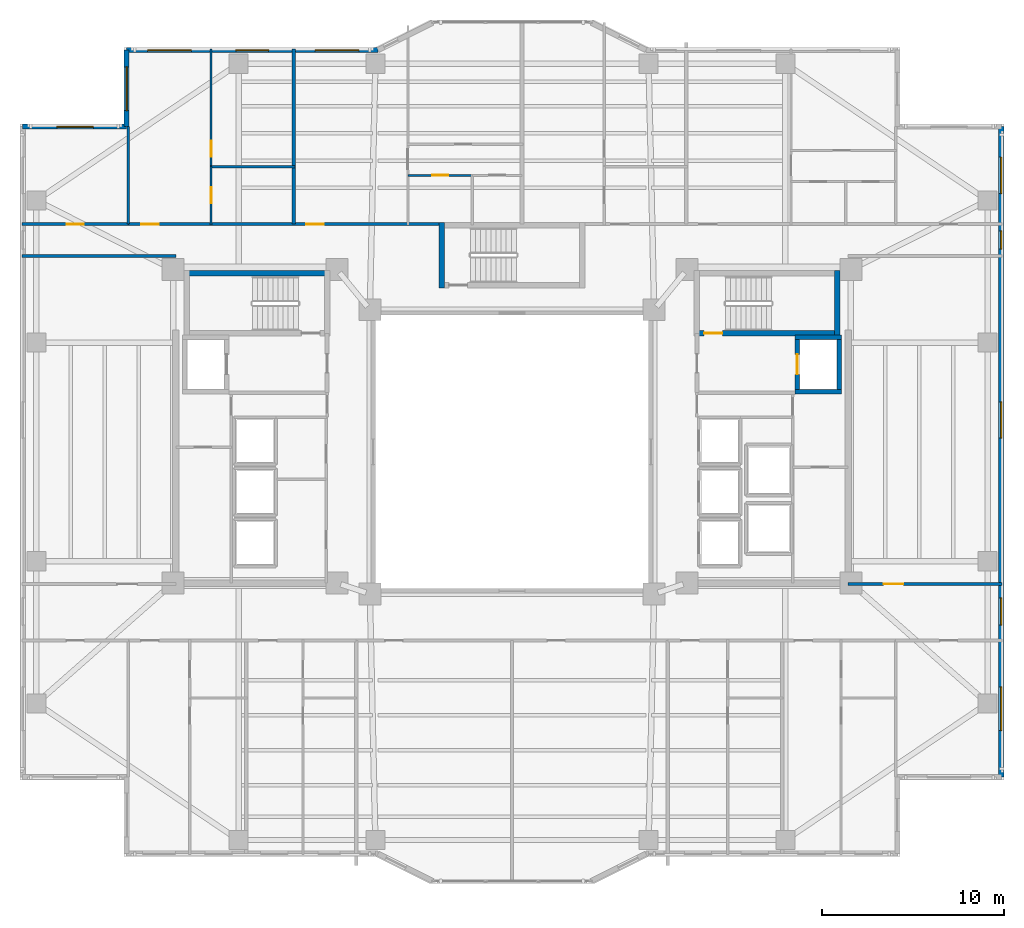
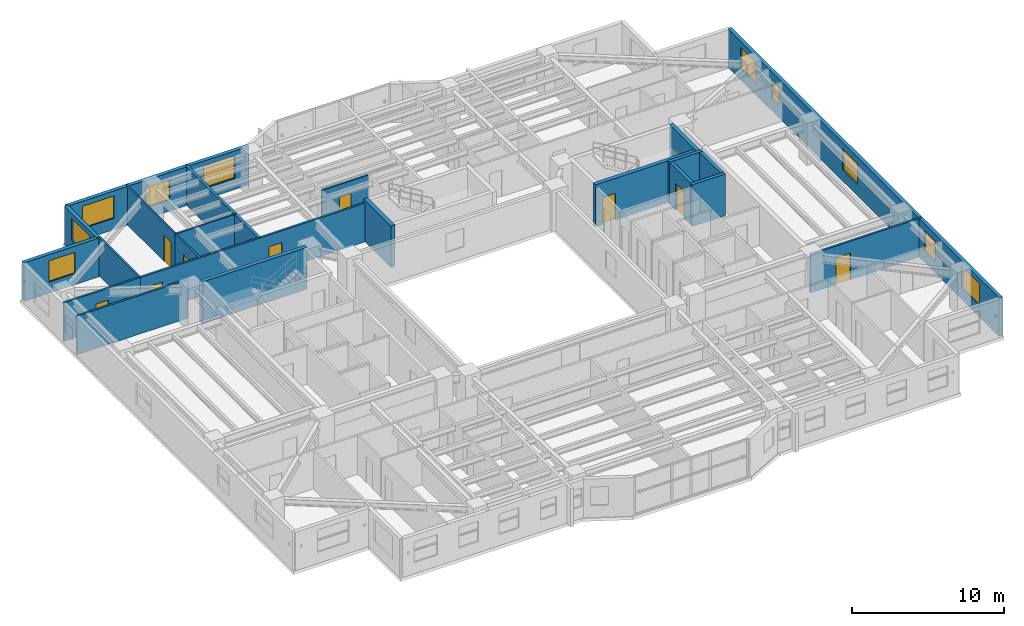
# One storey, part 9 of 18: 22 walls, 10 windows, 9 doors, 19 openings.
"""IFC4 building model written with IfcOpenShell, lengths in metres."""

from ifc_helpers import new_model, si_unit, direction, frame, frame_2d, origin, place, context, subcontext, project, spatial, rectangle, extrude, material, layer, layer_set, type_object, element, fill, save


model = new_model("IFC4")

# Units and contexts
model_context = context("Model", 3, precision=1e-05, world=origin(), true_north=direction((0.0, 1.0)))
body_context = subcontext(model_context, "Body", "Model", "MODEL_VIEW")
ifc_project = project(units=[si_unit("LENGTHUNIT", "METRE"), si_unit("AREAUNIT", "SQUARE_METRE"), si_unit("VOLUMEUNIT", "CUBIC_METRE"), si_unit("PLANEANGLEUNIT", "RADIAN"), si_unit("MASSUNIT", "GRAM", prefix="KILO")], contexts=[model_context])

# Site, building, storey
site_placement = place(None, origin())
site = spatial("IfcSite", under=ifc_project, at=site_placement, CompositionType="ELEMENT")
building_placement = place(site_placement, origin())
building = spatial("IfcBuilding", under=site, at=building_placement, Name="Tarnavaz Court Tower", CompositionType="ELEMENT")
storey_placement = place(building_placement, frame((0.0, 0.0, 98.39990234375)))
storey = spatial("IfcBuildingStorey", under=building, at=storey_placement, Name="L26", CompositionType="ELEMENT", Elevation=98.39990234375)

# Wall, opening, door
ifc_material_1 = material(Name="Concrete C60/75", Category="concrete")
ifc_layer_1 = layer(ifc_material_1, 0.25)
ifc_layer_set_1 = layer_set([ifc_layer_1], Name="Concrete C60/75")
wall_type_1 = type_object("IfcWallType", Name="WL-CORE-250-C60", PredefinedType="SHEAR", material=ifc_layer_set_1)
wall_1_placement = place(storey_placement, frame((15.64990234375, 3.175048828125, 0.0), z_axis=(0.0, 0.0, 1.0), x_axis=(0.0, 1.0, 0.0)))
wall_1 = element("IfcWall", 1, at=wall_1_placement, inside=storey, type_object=wall_type_1, Name="L26 Lift FL-E1 Shaft Wall 033", PredefinedType="SHEAR", context=body_context, shape_type="SweptSolid", body=[
    extrude(rectangle(XDim=3.25, YDim=0.25, at=frame_2d((1.625, 0.0))), origin(), (0.0, 0.0, 1.0), 3.35009765625),
])
opening_1_placement = place(wall_1_placement, frame((1.074951171875, 0.0, 0.0)))
opening_1 = element("IfcOpeningElement", 2, at=opening_1_placement, cuts=wall_1, Name="Opening LD1", PredefinedType="OPENING", context=body_context, shape_type="SweptSolid", body=[
    extrude(rectangle(XDim=1.10009765625, YDim=2.14990234375, at=frame_2d((0.550048828125, 1.074951171875))), frame((0.0, 0.135009765625, 0.0), z_axis=(0.0, -1.0, 0.0), x_axis=(1.0, 0.0, 0.0)), (0.0, 0.0, 1.0), 0.27001953125),
])
ifc_material_2 = material(Name="Stainless Steel", Category="steel")
door_type_1 = type_object("IfcDoorType", Name="DR-LD-1100", OperationType="NOTDEFINED", PredefinedType="DOOR", material=ifc_material_2)
door_1_placement = place(opening_1_placement, origin())
door_1 = element("IfcDoor", 3, at=door_1_placement, inside=storey, type_object=door_type_1, Name="L26 Lift Landing Door LD-FL-E1", OperationType="SLIDING_TO_LEFT", OverallHeight=2.14990234375, OverallWidth=1.10009765625, PredefinedType="DOOR", context=body_context, shape_type="SweptSolid", body=[
    extrude(rectangle(XDim=1.10009765625, YDim=2.14990234375, at=frame_2d((0.550048828125, 1.074951171875))), frame((0.0, 0.02490234375, 0.0), z_axis=(0.0, -1.0, 0.0), x_axis=(1.0, 0.0, 0.0)), (0.0, 0.0, 1.0), 0.050048828125),
])
fill(opening_1, door_1)

# Walls
wall_2_placement = place(storey_placement, frame((17.949951171875, 3.175048828125, 0.0), z_axis=(0.0, 0.0, 1.0), x_axis=(0.0, 1.0, 0.0)))
element("IfcWall", 4, at=wall_2_placement, inside=storey, type_object=wall_type_1, Name="L26 Lift FL-E1 Shaft Wall 034", PredefinedType="SHEAR", context=body_context, shape_type="SweptSolid", body=[
    extrude(rectangle(XDim=3.25, YDim=0.25, at=frame_2d((1.625, 0.0))), origin(), (0.0, 0.0, 1.0), 3.35009765625),
])
for number, where, z_axis, x_axis, name in (
    (5, (15.52490234375, 3.300048828125, 0.0), (0.0, 0.0, 1.0), (1.0, 0.0, 0.0), "L26 Lift FL-E1 Shaft Wall 035"),
    (6, (15.52490234375, 6.300048828125, 0.0), (0.0, 0.0, 1.0), (1.0, 0.0, 0.0), "L26 Lift FL-E1 Shaft Wall 036"),
):
    element("IfcWall", number, at=place(storey_placement, frame(where, z_axis=z_axis, x_axis=x_axis)), inside=storey, type_object=wall_type_1, Name=name, PredefinedType="SHEAR", context=body_context, shape_type="SweptSolid", body=[
        extrude(rectangle(XDim=2.550048828125, YDim=0.25, at=frame_2d((1.27490234375, 0.0))), origin(), (0.0, 0.0, 1.0), 3.35009765625),
    ])
ifc_layer_2 = layer(ifc_material_1, 0.300048828125)
ifc_layer_set_2 = layer_set([ifc_layer_2], Name="Concrete C60/75")
wall_type_2 = type_object("IfcWallType", Name="WL-CORE-300-C60", PredefinedType="SHEAR", material=ifc_layer_set_2)
wall_3_placement = place(storey_placement, frame((-18.0, 9.7900390625, 0.0), z_axis=(0.0, 0.0, 1.0), x_axis=(1.0, 0.0, 0.0)))
element("IfcWall", 7, at=wall_3_placement, inside=storey, type_object=wall_type_2, Name="L26 West Stair Core Wall 001", PredefinedType="SHEAR", context=body_context, shape_type="SweptSolid", body=[
    extrude(rectangle(XDim=8.0, YDim=0.300048828125, at=frame_2d((4.0, 0.0))), origin(), (0.0, 0.0, 1.0), 3.35009765625),
])

# Wall, opening, door
wall_4_placement = place(storey_placement, frame((10.0, 6.5, 0.0), z_axis=(0.0, 0.0, 1.0), x_axis=(1.0, 0.0, 0.0)))
wall_4 = element("IfcWall", 8, at=wall_4_placement, inside=storey, type_object=wall_type_2, Name="L26 East Stair Core Wall 006", PredefinedType="SHEAR", context=body_context, shape_type="SweptSolid", body=[
    extrude(rectangle(XDim=8.0, YDim=0.300048828125, at=frame_2d((4.0, 0.0))), origin(), (0.0, 0.0, 1.0), 3.35009765625),
])
opening_2_placement = place(wall_4_placement, frame((0.550048828125, 0.0, 0.0)))
opening_2 = element("IfcOpeningElement", 9, at=opening_2_placement, cuts=wall_4, Name="Opening D01", PredefinedType="OPENING", context=body_context, shape_type="SweptSolid", body=[
    extrude(rectangle(XDim=1.0, YDim=2.14990234375, at=frame_2d((0.5, 1.074951171875))), frame((0.0, 0.159912109375, 0.0), z_axis=(0.0, -1.0, 0.0), x_axis=(1.0, 0.0, 0.0)), (0.0, 0.0, 1.0), 0.320068359375),
])
ifc_material_3 = material(Name="Fire-Rated Hardwood Timber Core", Category="wood")
door_type_2 = type_object("IfcDoorType", Name="DR-FD90-1000", OperationType="NOTDEFINED", PredefinedType="DOOR", material=ifc_material_3)
door_2_placement = place(opening_2_placement, origin())
door_2 = element("IfcDoor", 10, at=door_2_placement, inside=storey, type_object=door_type_2, Name="L26 Stair ST-E1 Exit Door", OperationType="SINGLE_SWING_RIGHT", OverallHeight=2.14990234375, OverallWidth=1.0, PredefinedType="DOOR", context=body_context, shape_type="SweptSolid", body=[
    extrude(rectangle(XDim=1.0, YDim=2.14990234375, at=frame_2d((0.5, 1.074951171875))), frame((0.0, 0.02490234375, 0.0), z_axis=(0.0, -1.0, 0.0), x_axis=(1.0, 0.0, 0.0)), (0.0, 0.0, 1.0), 0.050048828125),
])
fill(opening_2, door_2)

# Walls
wall_5_placement = place(storey_placement, frame((17.85009765625, 6.35009765625, 0.0), z_axis=(0.0, 0.0, 1.0), x_axis=(0.0, 1.0, 0.0)))
element("IfcWall", 11, at=wall_5_placement, inside=storey, type_object=wall_type_2, Name="L26 East Stair Core Wall 008", PredefinedType="SHEAR", context=body_context, shape_type="SweptSolid", body=[
    extrude(rectangle(XDim=3.58984375, YDim=0.300048828125, at=frame_2d((1.794921875, 0.0))), origin(), (0.0, 0.0, 1.0), 3.35009765625),
])
wall_6_placement = place(storey_placement, frame((-3.85009765625, 9.0, 0.0), z_axis=(0.0, 0.0, 1.0), x_axis=(0.0, 1.0, 0.0)))
element("IfcWall", 12, at=wall_6_placement, inside=storey, type_object=wall_type_2, Name="L26 North Stair Core Wall 011", PredefinedType="SHEAR", context=body_context, shape_type="SweptSolid", body=[
    extrude(rectangle(XDim=3.590087890625, YDim=0.300048828125, at=frame_2d((1.794921875, 0.0))), origin(), (0.0, 0.0, 1.0), 3.35009765625),
])

# Wall, opening, window
ifc_material_4 = material(Name="Precast Concrete C40/50", Category="concrete")
ifc_layer_3 = layer(ifc_material_4, 0.280029296875)
ifc_layer_set_3 = layer_set([ifc_layer_3], Name="Precast Concrete C40/50")
wall_type_3 = type_object("IfcWallType", Name="WL-EXT-280", PredefinedType="SOLIDWALL", material=ifc_layer_set_3)
wall_7_placement = place(storey_placement, frame((-26.85009765625, 17.85009765625, 0.0), z_axis=(0.0, 0.0, 1.0), x_axis=(1.0, 0.0, 0.0)))
wall_7 = element("IfcWall", 13, at=wall_7_placement, inside=storey, type_object=wall_type_3, Name="L26 Exterior Terracotta Facade Wall 03", PredefinedType="SOLIDWALL", context=body_context, shape_type="SweptSolid", body=[
    extrude(rectangle(XDim=5.7001953125, YDim=0.280029296875, at=frame_2d((2.85009765625, 0.0))), origin(), (0.0, 0.0, 1.0), 3.10009765625),
])
opening_3_placement = place(wall_7_placement, frame((1.875, 0.0, 0.89990234375)))
opening_3 = element("IfcOpeningElement", 14, at=opening_3_placement, cuts=wall_7, Name="Opening W08", PredefinedType="OPENING", context=body_context, shape_type="SweptSolid", body=[
    extrude(rectangle(XDim=2.0, YDim=1.699951171875, at=frame_2d((1.0, 0.85009765625))), frame((0.0, 0.14990234375, 0.0), z_axis=(0.0, -1.0, 0.0), x_axis=(1.0, 0.0, 0.0)), (0.0, 0.0, 1.0), 0.300048828125),
])
ifc_material_5 = material(Name="Double-Glazed Solar Low-E Glass", Category="glass")
window_type_1 = type_object("IfcWindowType", Name="WN-APT-2000", PartitioningType="DOUBLE_PANEL_VERTICAL", PredefinedType="WINDOW", material=ifc_material_5)
window_1_placement = place(opening_3_placement, origin())
window_1 = element("IfcWindow", 15, at=window_1_placement, inside=storey, type_object=window_type_1, Name="L26 North-West Corner Sunroom Study Window", OverallHeight=1.699951171875, OverallWidth=2.0, PartitioningType="SINGLE_PANEL", PredefinedType="WINDOW", context=body_context, shape_type="SweptSolid", body=[
    extrude(rectangle(XDim=2.0, YDim=1.699951171875, at=frame_2d((1.0, 0.85009765625))), frame((0.0, 0.030029296875, 0.0), z_axis=(0.0, -1.0, 0.0), x_axis=(1.0, 0.0, 0.0)), (0.0, 0.0, 1.0), 0.06005859375),
])
fill(opening_3, window_1)

wall_8_placement = place(storey_placement, frame((-21.14990234375, 17.85009765625, 0.0), z_axis=(0.0, 0.0, 1.0), x_axis=(0.0, 1.0, 0.0)))
wall_8 = element("IfcWall", 16, at=wall_8_placement, inside=storey, type_object=wall_type_3, Name="L26 Exterior Terracotta Facade Wall 04", PredefinedType="SOLIDWALL", context=body_context, shape_type="SweptSolid", body=[
    extrude(rectangle(XDim=4.199951171875, YDim=0.280029296875, at=frame_2d((2.10009765625, 0.0))), origin(), (0.0, 0.0, 1.0), 3.10009765625),
])
opening_4_placement = place(wall_8_placement, frame((0.882080078125, 0.0, 0.89990234375)))
opening_4 = element("IfcOpeningElement", 17, at=opening_4_placement, cuts=wall_8, Name="Opening W06", PredefinedType="OPENING", context=body_context, shape_type="SweptSolid", body=[
    extrude(rectangle(XDim=2.39990234375, YDim=1.800048828125, at=frame_2d((1.199951171875, 0.89990234375))), frame((0.0, 0.14990234375, 0.0), z_axis=(0.0, -1.0, 0.0), x_axis=(1.0, 0.0, 0.0)), (0.0, 0.0, 1.0), 0.300048828125),
])
window_type_2 = type_object("IfcWindowType", Name="WN-APT-2400", PartitioningType="TRIPLE_PANEL_VERTICAL", PredefinedType="WINDOW", material=ifc_material_5)
window_2_placement = place(opening_4_placement, origin())
window_2 = element("IfcWindow", 18, at=window_2_placement, inside=storey, type_object=window_type_2, Name="L26 Flat 01 Studio Living and Sleeping Room Window", OverallHeight=1.800048828125, OverallWidth=2.39990234375, PartitioningType="SINGLE_PANEL", PredefinedType="WINDOW", context=body_context, shape_type="SweptSolid", body=[
    extrude(rectangle(XDim=2.39990234375, YDim=1.800048828125, at=frame_2d((1.199951171875, 0.89990234375))), frame((0.0, 0.030029296875, 0.0), z_axis=(0.0, -1.0, 0.0), x_axis=(1.0, 0.0, 0.0)), (0.0, 0.0, 1.0), 0.06005859375),
])
fill(opening_4, window_2)

# Wall, openings, windows
wall_9_placement = place(storey_placement, frame((-21.14990234375, 22.050048828125, 0.0), z_axis=(0.0, 0.0, 1.0), x_axis=(1.0, 0.0, 0.0)))
wall_9 = element("IfcWall", 19, at=wall_9_placement, inside=storey, type_object=wall_type_3, Name="L26 Exterior Terracotta Facade Wall 05", PredefinedType="SOLIDWALL", context=body_context, shape_type="SweptSolid", body=[
    extrude(rectangle(XDim=13.7998046875, YDim=0.280029296875, at=frame_2d((6.89990234375, 0.0))), origin(), (0.0, 0.0, 1.0), 3.10009765625),
])
opening_5_placement = place(wall_9_placement, frame((1.158447265625, 0.0, 0.89990234375)))
opening_5 = element("IfcOpeningElement", 20, at=opening_5_placement, cuts=wall_9, Name="Opening W06", PredefinedType="OPENING", context=body_context, shape_type="SweptSolid", body=[
    extrude(rectangle(XDim=2.39990234375, YDim=1.800048828125, at=frame_2d((1.199951171875, 0.89990234375))), frame((0.0, 0.14990234375, 0.0), z_axis=(0.0, -1.0, 0.0), x_axis=(1.0, 0.0, 0.0)), (0.0, 0.0, 1.0), 0.300048828125),
])
opening_6_placement = place(wall_9_placement, frame((6.0, 0.0, 0.89990234375)))
opening_6 = element("IfcOpeningElement", 21, at=opening_6_placement, cuts=wall_9, Name="Opening W01", PredefinedType="OPENING", context=body_context, shape_type="SweptSolid", body=[
    extrude(rectangle(XDim=1.800048828125, YDim=1.64990234375, at=frame_2d((0.89990234375, 0.824951171875))), frame((0.0, 0.14990234375, 0.0), z_axis=(0.0, -1.0, 0.0), x_axis=(1.0, 0.0, 0.0)), (0.0, 0.0, 1.0), 0.300048828125),
])
opening_7_placement = place(wall_9_placement, frame((10.341796875, 0.0, 0.89990234375)))
opening_7 = element("IfcOpeningElement", 22, at=opening_7_placement, cuts=wall_9, Name="Opening W06", PredefinedType="OPENING", context=body_context, shape_type="SweptSolid", body=[
    extrude(rectangle(XDim=2.39990234375, YDim=1.800048828125, at=frame_2d((1.199951171875, 0.89990234375))), frame((0.0, 0.14990234375, 0.0), z_axis=(0.0, -1.0, 0.0), x_axis=(1.0, 0.0, 0.0)), (0.0, 0.0, 1.0), 0.300048828125),
])
window_type_3 = type_object("IfcWindowType", Name="WN-APT-1800", PartitioningType="DOUBLE_PANEL_VERTICAL", PredefinedType="WINDOW", material=ifc_material_5)
window_3_placement = place(opening_6_placement, origin())
window_3 = element("IfcWindow", 23, at=window_3_placement, inside=storey, type_object=window_type_3, Name="L26 Flat 01 Kitchen Window", OverallHeight=1.64990234375, OverallWidth=1.800048828125, PartitioningType="SINGLE_PANEL", PredefinedType="WINDOW", context=body_context, shape_type="SweptSolid", body=[
    extrude(rectangle(XDim=1.800048828125, YDim=1.64990234375, at=frame_2d((0.89990234375, 0.824951171875))), frame((0.0, 0.030029296875, 0.0), z_axis=(0.0, -1.0, 0.0), x_axis=(1.0, 0.0, 0.0)), (0.0, 0.0, 1.0), 0.06005859375),
])
fill(opening_6, window_3)
window_4_placement = place(opening_5_placement, origin())
window_4 = element("IfcWindow", 24, at=window_4_placement, inside=storey, type_object=window_type_2, Name="L26 Flat 01 Studio Living and Sleeping Room Window", OverallHeight=1.800048828125, OverallWidth=2.39990234375, PartitioningType="SINGLE_PANEL", PredefinedType="WINDOW", context=body_context, shape_type="SweptSolid", body=[
    extrude(rectangle(XDim=2.39990234375, YDim=1.800048828125, at=frame_2d((1.199951171875, 0.89990234375))), frame((0.0, 0.030029296875, 0.0), z_axis=(0.0, -1.0, 0.0), x_axis=(1.0, 0.0, 0.0)), (0.0, 0.0, 1.0), 0.06005859375),
])
fill(opening_5, window_4)
window_5_placement = place(opening_7_placement, origin())
window_5 = element("IfcWindow", 25, at=window_5_placement, inside=storey, type_object=window_type_2, Name="L26 Flat 02 Living and Dining Room Window", OverallHeight=1.800048828125, OverallWidth=2.39990234375, PartitioningType="SINGLE_PANEL", PredefinedType="WINDOW", context=body_context, shape_type="SweptSolid", body=[
    extrude(rectangle(XDim=2.39990234375, YDim=1.800048828125, at=frame_2d((1.199951171875, 0.89990234375))), frame((0.0, 0.030029296875, 0.0), z_axis=(0.0, -1.0, 0.0), x_axis=(1.0, 0.0, 0.0)), (0.0, 0.0, 1.0), 0.06005859375),
])
fill(opening_7, window_5)

wall_10_placement = place(storey_placement, frame((26.85009765625, 17.85009765625, 0.0), z_axis=(0.0, 0.0, 1.0), x_axis=(0.0, -1.0, 0.0)))
wall_10 = element("IfcWall", 26, at=wall_10_placement, inside=storey, type_object=wall_type_3, Name="L26 Exterior Terracotta Facade Wall 12", PredefinedType="SOLIDWALL", context=body_context, shape_type="SweptSolid", body=[
    extrude(rectangle(XDim=35.7001953125, YDim=0.280029296875, at=frame_2d((17.85009765625, 0.0))), origin(), (0.0, 0.0, 1.0), 3.10009765625),
])
opening_8_placement = place(wall_10_placement, frame((1.675048828125, 0.0, 0.89990234375)))
opening_8 = element("IfcOpeningElement", 27, at=opening_8_placement, cuts=wall_10, Name="Opening W08", PredefinedType="OPENING", context=body_context, shape_type="SweptSolid", body=[
    extrude(rectangle(XDim=2.0, YDim=1.699951171875, at=frame_2d((1.0, 0.85009765625))), frame((0.0, 0.14990234375, 0.0), z_axis=(0.0, -1.0, 0.0), x_axis=(1.0, 0.0, 0.0)), (0.0, 0.0, 1.0), 0.300048828125),
])
opening_9_placement = place(wall_10_placement, frame((5.72509765625, 0.0, 0.949951171875)))
opening_9 = element("IfcOpeningElement", 28, at=opening_9_placement, cuts=wall_10, Name="Opening W14", PredefinedType="OPENING", context=body_context, shape_type="SweptSolid", body=[
    extrude(rectangle(XDim=1.0, YDim=1.5, at=frame_2d((0.5, 0.75))), frame((0.0, 0.14990234375, 0.0), z_axis=(0.0, -1.0, 0.0), x_axis=(1.0, 0.0, 0.0)), (0.0, 0.0, 1.0), 0.300048828125),
])
opening_10_placement = place(wall_10_placement, frame((15.10009765625, 0.0, 0.89990234375)))
opening_10 = element("IfcOpeningElement", 29, at=opening_10_placement, cuts=wall_10, Name="Opening W08", PredefinedType="OPENING", context=body_context, shape_type="SweptSolid", body=[
    extrude(rectangle(XDim=2.0, YDim=1.699951171875, at=frame_2d((1.0, 0.85009765625))), frame((0.0, 0.14990234375, 0.0), z_axis=(0.0, -1.0, 0.0), x_axis=(1.0, 0.0, 0.0)), (0.0, 0.0, 1.0), 0.300048828125),
])
opening_11_placement = place(wall_10_placement, frame((25.857421875, 0.0, 0.89990234375)))
opening_11 = element("IfcOpeningElement", 30, at=opening_11_placement, cuts=wall_10, Name="Opening W03", PredefinedType="OPENING", context=body_context, shape_type="SweptSolid", body=[
    extrude(rectangle(XDim=1.5, YDim=1.64990234375, at=frame_2d((0.75, 0.824951171875))), frame((0.0, 0.14990234375, 0.0), z_axis=(0.0, -1.0, 0.0), x_axis=(1.0, 0.0, 0.0)), (0.0, 0.0, 1.0), 0.300048828125),
])
opening_12_placement = place(wall_10_placement, frame((30.75, 0.0, 0.89990234375)))
opening_12 = element("IfcOpeningElement", 31, at=opening_12_placement, cuts=wall_10, Name="Opening W06", PredefinedType="OPENING", context=body_context, shape_type="SweptSolid", body=[
    extrude(rectangle(XDim=2.39990234375, YDim=1.800048828125, at=frame_2d((1.199951171875, 0.89990234375))), frame((0.0, 0.14990234375, 0.0), z_axis=(0.0, -1.0, 0.0), x_axis=(1.0, 0.0, 0.0)), (0.0, 0.0, 1.0), 0.300048828125),
])
window_type_4 = type_object("IfcWindowType", Name="WN-APT-1000", PartitioningType="SINGLE_PANEL", PredefinedType="WINDOW", material=ifc_material_5)
window_6_placement = place(opening_9_placement, origin())
window_6 = element("IfcWindow", 32, at=window_6_placement, inside=storey, type_object=window_type_4, Name="L26 North-East Corner Corridor Window", OverallHeight=1.5, OverallWidth=1.0, PartitioningType="SINGLE_PANEL", PredefinedType="WINDOW", context=body_context, shape_type="SweptSolid", body=[
    extrude(rectangle(XDim=1.0, YDim=1.5, at=frame_2d((0.5, 0.75))), frame((0.0, 0.030029296875, 0.0), z_axis=(0.0, -1.0, 0.0), x_axis=(1.0, 0.0, 0.0)), (0.0, 0.0, 1.0), 0.06005859375),
])
fill(opening_9, window_6)
window_type_5 = type_object("IfcWindowType", Name="WN-APT-1500", PartitioningType="DOUBLE_PANEL_VERTICAL", PredefinedType="WINDOW", material=ifc_material_5)
window_7_placement = place(opening_11_placement, origin())
window_7 = element("IfcWindow", 33, at=window_7_placement, inside=storey, type_object=window_type_5, Name="L26 South-East Corner Corridor Window", OverallHeight=1.64990234375, OverallWidth=1.5, PartitioningType="SINGLE_PANEL", PredefinedType="WINDOW", context=body_context, shape_type="SweptSolid", body=[
    extrude(rectangle(XDim=1.5, YDim=1.64990234375, at=frame_2d((0.75, 0.824951171875))), frame((0.0, 0.030029296875, 0.0), z_axis=(0.0, -1.0, 0.0), x_axis=(1.0, 0.0, 0.0)), (0.0, 0.0, 1.0), 0.06005859375),
])
fill(opening_11, window_7)
window_8_placement = place(opening_8_placement, origin())
window_8 = element("IfcWindow", 34, at=window_8_placement, inside=storey, type_object=window_type_1, Name="L26 North-East Corner Sunroom Study Window", OverallHeight=1.699951171875, OverallWidth=2.0, PartitioningType="SINGLE_PANEL", PredefinedType="WINDOW", context=body_context, shape_type="SweptSolid", body=[
    extrude(rectangle(XDim=2.0, YDim=1.699951171875, at=frame_2d((1.0, 0.85009765625))), frame((0.0, 0.030029296875, 0.0), z_axis=(0.0, -1.0, 0.0), x_axis=(1.0, 0.0, 0.0)), (0.0, 0.0, 1.0), 0.06005859375),
])
fill(opening_8, window_8)
window_9_placement = place(opening_10_placement, origin())
window_9 = element("IfcWindow", 35, at=window_9_placement, inside=storey, type_object=window_type_1, Name="L26 East Wing Daycare Playroom Window", OverallHeight=1.699951171875, OverallWidth=2.0, PartitioningType="SINGLE_PANEL", PredefinedType="WINDOW", context=body_context, shape_type="SweptSolid", body=[
    extrude(rectangle(XDim=2.0, YDim=1.699951171875, at=frame_2d((1.0, 0.85009765625))), frame((0.0, 0.030029296875, 0.0), z_axis=(0.0, -1.0, 0.0), x_axis=(1.0, 0.0, 0.0)), (0.0, 0.0, 1.0), 0.06005859375),
])
fill(opening_10, window_9)
window_10_placement = place(opening_12_placement, origin())
window_10 = element("IfcWindow", 36, at=window_10_placement, inside=storey, type_object=window_type_2, Name="L26 South-East Corner Reading Room Window", OverallHeight=1.800048828125, OverallWidth=2.39990234375, PartitioningType="SINGLE_PANEL", PredefinedType="WINDOW", context=body_context, shape_type="SweptSolid", body=[
    extrude(rectangle(XDim=2.39990234375, YDim=1.800048828125, at=frame_2d((1.199951171875, 0.89990234375))), frame((0.0, 0.030029296875, 0.0), z_axis=(0.0, -1.0, 0.0), x_axis=(1.0, 0.0, 0.0)), (0.0, 0.0, 1.0), 0.06005859375),
])
fill(opening_12, window_10)

# Wall, openings, doors
ifc_material_6 = material(Name="Gypsum Fire-Board on Acoustic Metal Stud", Category="masonry")
ifc_layer_4 = layer(ifc_material_6, 0.14990234375)
ifc_layer_set_4 = layer_set([ifc_layer_4], Name="Gypsum Fire-Board on Acoustic Metal Stud")
wall_type_4 = type_object("IfcWallType", Name="WL-FIRE-150", PredefinedType="PARTITIONING", material=ifc_layer_set_4)
wall_11_placement = place(storey_placement, frame((-21.050048828125, 12.5, 0.0), z_axis=(0.0, 0.0, 1.0), x_axis=(1.0, 0.0, 0.0)))
wall_11 = element("IfcWall", 37, at=wall_11_placement, inside=storey, type_object=wall_type_4, Name="L26 NW Wing Corridor Wall 071", PredefinedType="PARTITIONING", context=body_context, shape_type="SweptSolid", body=[
    extrude(rectangle(XDim=17.199951171875, YDim=0.14990234375, at=frame_2d((8.60009765625, 0.0))), origin(), (0.0, 0.0, 1.0), 3.10009765625),
])
opening_13_placement = place(wall_11_placement, frame((0.699951171875, 0.0, 0.0)))
opening_13 = element("IfcOpeningElement", 38, at=opening_13_placement, cuts=wall_11, Name="Opening D06", PredefinedType="OPENING", context=body_context, shape_type="SweptSolid", body=[
    extrude(rectangle(XDim=0.9599609375, YDim=2.14990234375, at=frame_2d((0.47998046875, 1.074951171875))), frame((0.0, 0.0849609375, 0.0), z_axis=(0.0, -1.0, 0.0), x_axis=(1.0, 0.0, 0.0)), (0.0, 0.0, 1.0), 0.169921875),
])
opening_14_placement = place(wall_11_placement, frame((9.77197265625, 0.0, 0.0)))
opening_14 = element("IfcOpeningElement", 39, at=opening_14_placement, cuts=wall_11, Name="Opening D06", PredefinedType="OPENING", context=body_context, shape_type="SweptSolid", body=[
    extrude(rectangle(XDim=0.9599609375, YDim=2.14990234375, at=frame_2d((0.47998046875, 1.074951171875))), frame((0.0, 0.0849609375, 0.0), z_axis=(0.0, -1.0, 0.0), x_axis=(1.0, 0.0, 0.0)), (0.0, 0.0, 1.0), 0.169921875),
])
door_type_3 = type_object("IfcDoorType", Name="DR-FD60-950", OperationType="NOTDEFINED", PredefinedType="DOOR", material=ifc_material_3)
door_3_placement = place(opening_13_placement, origin())
door_3 = element("IfcDoor", 40, at=door_3_placement, inside=storey, type_object=door_type_3, Name="L26 Flat 01 Entrance Door", OperationType="SINGLE_SWING_LEFT", OverallHeight=2.14990234375, OverallWidth=0.9599609375, PredefinedType="DOOR", context=body_context, shape_type="SweptSolid", body=[
    extrude(rectangle(XDim=0.9599609375, YDim=2.14990234375, at=frame_2d((0.47998046875, 1.074951171875))), frame((0.0, 0.02490234375, 0.0), z_axis=(0.0, -1.0, 0.0), x_axis=(1.0, 0.0, 0.0)), (0.0, 0.0, 1.0), 0.050048828125),
])
fill(opening_13, door_3)
door_4_placement = place(opening_14_placement, origin())
door_4 = element("IfcDoor", 41, at=door_4_placement, inside=storey, type_object=door_type_3, Name="L26 Flat 02 Entrance Door", OperationType="SINGLE_SWING_RIGHT", OverallHeight=2.14990234375, OverallWidth=0.9599609375, PredefinedType="DOOR", context=body_context, shape_type="SweptSolid", body=[
    extrude(rectangle(XDim=0.9599609375, YDim=2.14990234375, at=frame_2d((0.47998046875, 1.074951171875))), frame((0.0, 0.02490234375, 0.0), z_axis=(0.0, -1.0, 0.0), x_axis=(1.0, 0.0, 0.0)), (0.0, 0.0, 1.0), 0.050048828125),
])
fill(opening_14, door_4)

# Wall
wall_12_placement = place(storey_placement, frame((-26.8798828125, 10.75, 0.0), z_axis=(0.0, 0.0, 1.0), x_axis=(1.0, 0.0, 0.0)))
element("IfcWall", 42, at=wall_12_placement, inside=storey, type_object=wall_type_4, Name="L26 Interior Partition 113", PredefinedType="PARTITIONING", context=body_context, shape_type="SweptSolid", body=[
    extrude(rectangle(XDim=8.429931640625, YDim=0.14990234375, at=frame_2d((4.21484375, 0.0))), origin(), (0.0, 0.0, 1.0), 3.10009765625),
])

# Wall, opening, door
wall_13_placement = place(storey_placement, frame((18.449951171875, -7.25, 0.0), z_axis=(0.0, 0.0, 1.0), x_axis=(1.0, 0.0, 0.0)))
wall_13 = element("IfcWall", 43, at=wall_13_placement, inside=storey, type_object=wall_type_4, Name="L26 Interior Partition 114", PredefinedType="PARTITIONING", context=body_context, shape_type="SweptSolid", body=[
    extrude(rectangle(XDim=8.429931640625, YDim=0.14990234375, at=frame_2d((4.21484375, 0.0))), origin(), (0.0, 0.0, 1.0), 3.10009765625),
])
opening_15_placement = place(wall_13_placement, frame((1.949951171875, 0.0, 0.0)))
opening_15 = element("IfcOpeningElement", 44, at=opening_15_placement, cuts=wall_13, Name="Opening D12", PredefinedType="OPENING", context=body_context, shape_type="SweptSolid", body=[
    extrude(rectangle(XDim=1.080078125, YDim=2.14990234375, at=frame_2d((0.5400390625, 1.074951171875))), frame((0.0, 0.0849609375, 0.0), z_axis=(0.0, -1.0, 0.0), x_axis=(1.0, 0.0, 0.0)), (0.0, 0.0, 1.0), 0.169921875),
])
ifc_material_7 = material(Name="Engineered Oak Timber", Category="wood")
door_type_4 = type_object("IfcDoorType", Name="DR-INT-1100", OperationType="NOTDEFINED", PredefinedType="DOOR", material=ifc_material_7)
door_5_placement = place(opening_15_placement, origin())
door_5 = element("IfcDoor", 45, at=door_5_placement, inside=storey, type_object=door_type_4, Name="L26 East Daycare Playroom Door", OperationType="SINGLE_SWING_RIGHT", OverallHeight=2.14990234375, OverallWidth=1.080078125, PredefinedType="DOOR", context=body_context, shape_type="SweptSolid", body=[
    extrude(rectangle(XDim=1.080078125, YDim=2.14990234375, at=frame_2d((0.5400390625, 1.074951171875))), frame((0.0, 0.02490234375, 0.0), z_axis=(0.0, -1.0, 0.0), x_axis=(1.0, 0.0, 0.0)), (0.0, 0.0, 1.0), 0.050048828125),
])
fill(opening_15, door_5)

wall_14_placement = place(storey_placement, frame((-26.8798828125, 12.5, 0.0), z_axis=(0.0, 0.0, 1.0), x_axis=(1.0, 0.0, 0.0)))
wall_14 = element("IfcWall", 46, at=wall_14_placement, inside=storey, type_object=wall_type_4, Name="L26 Interior Partition 120", PredefinedType="PARTITIONING", context=body_context, shape_type="SweptSolid", body=[
    extrude(rectangle(XDim=5.829833984375, YDim=0.14990234375, at=frame_2d((2.9150390625, 0.0))), origin(), (0.0, 0.0, 1.0), 3.10009765625),
])
opening_16_placement = place(wall_14_placement, frame((2.43994140625, 0.0, 0.0)))
opening_16 = element("IfcOpeningElement", 47, at=opening_16_placement, cuts=wall_14, Name="Opening D13", PredefinedType="OPENING", context=body_context, shape_type="SweptSolid", body=[
    extrude(rectangle(XDim=0.949951171875, YDim=2.14990234375, at=frame_2d((0.47509765625, 1.074951171875))), frame((0.0, 0.0849609375, 0.0), z_axis=(0.0, -1.0, 0.0), x_axis=(1.0, 0.0, 0.0)), (0.0, 0.0, 1.0), 0.169921875),
])
door_type_5 = type_object("IfcDoorType", Name="DR-INT-950", OperationType="NOTDEFINED", PredefinedType="DOOR", material=ifc_material_7)
door_6_placement = place(opening_16_placement, origin())
door_6 = element("IfcDoor", 48, at=door_6_placement, inside=storey, type_object=door_type_5, Name="L26 NW Sunroom Door", OperationType="SINGLE_SWING_LEFT", OverallHeight=2.14990234375, OverallWidth=0.949951171875, PredefinedType="DOOR", context=body_context, shape_type="SweptSolid", body=[
    extrude(rectangle(XDim=0.949951171875, YDim=2.14990234375, at=frame_2d((0.47509765625, 1.074951171875))), frame((0.0, 0.02490234375, 0.0), z_axis=(0.0, -1.0, 0.0), x_axis=(1.0, 0.0, 0.0)), (0.0, 0.0, 1.0), 0.050048828125),
])
fill(opening_16, door_6)

# Wall
ifc_material_8 = material(Name="Autoclaved Aerated Concrete Blockwork", Category="masonry")
ifc_layer_5 = layer(ifc_material_8, 0.199951171875)
ifc_layer_set_5 = layer_set([ifc_layer_5], Name="Autoclaved Aerated Concrete Blockwork")
wall_type_5 = type_object("IfcWallType", Name="WL-FIRE-200", PredefinedType="SOLIDWALL", material=ifc_layer_set_5)
wall_15_placement = place(storey_placement, frame((-11.97802734375, 12.5, 0.0), z_axis=(0.0, 0.0, 1.0), x_axis=(0.0, 1.0, 0.0)))
element("IfcWall", 49, at=wall_15_placement, inside=storey, type_object=wall_type_5, Name="L26 Party Wall 076", PredefinedType="SOLIDWALL", context=body_context, shape_type="SweptSolid", body=[
    extrude(rectangle(XDim=9.60009765625, YDim=0.199951171875, at=frame_2d((4.800048828125, 0.0))), origin(), (0.0, 0.0, 1.0), 3.10009765625),
])

# Wall, opening, door
ifc_material_9 = material(Name="Moisture-Resistant Gypsum Board Partition", Category="masonry")
ifc_layer_6 = layer(ifc_material_9, 0.1201171875)
ifc_layer_set_6 = layer_set([ifc_layer_6], Name="Moisture-Resistant Gypsum Board Partition")
wall_type_6 = type_object("IfcWallType", Name="WL-PART-120", PredefinedType="PARTITIONING", material=ifc_layer_set_6)
wall_16_placement = place(storey_placement, frame((-16.513916015625, 12.43994140625, 0.0), z_axis=(0.0, 0.0, 1.0), x_axis=(0.0, 1.0, 0.0)))
wall_16 = element("IfcWall", 50, at=wall_16_placement, inside=storey, type_object=wall_type_6, Name="L26 Interior Partition 077", PredefinedType="PARTITIONING", context=body_context, shape_type="SweptSolid", body=[
    extrude(rectangle(XDim=3.2099609375, YDim=0.1201171875, at=frame_2d((1.60498046875, 0.0))), origin(), (0.0, 0.0, 1.0), 3.10009765625),
])
opening_17_placement = place(wall_16_placement, frame((1.195068359375, 0.0, 0.0)))
opening_17 = element("IfcOpeningElement", 51, at=opening_17_placement, cuts=wall_16, Name="Opening D14", PredefinedType="OPENING", context=body_context, shape_type="SweptSolid", body=[
    extrude(rectangle(XDim=0.8798828125, YDim=2.10009765625, at=frame_2d((0.43994140625, 1.050048828125))), frame((0.0, 0.070068359375, 0.0), z_axis=(0.0, -1.0, 0.0), x_axis=(1.0, 0.0, 0.0)), (0.0, 0.0, 1.0), 0.14013671875),
])
door_type_6 = type_object("IfcDoorType", Name="DR-INT-900", OperationType="NOTDEFINED", PredefinedType="DOOR", material=ifc_material_7)
door_7_placement = place(opening_17_placement, origin())
door_7 = element("IfcDoor", 52, at=door_7_placement, inside=storey, type_object=door_type_6, Name="L26 Flat 01 Bathroom Door", OperationType="SINGLE_SWING_RIGHT", OverallHeight=2.10009765625, OverallWidth=0.8798828125, PredefinedType="DOOR", context=body_context, shape_type="SweptSolid", body=[
    extrude(rectangle(XDim=0.8798828125, YDim=2.10009765625, at=frame_2d((0.43994140625, 1.050048828125))), frame((0.0, 0.02490234375, 0.0), z_axis=(0.0, -1.0, 0.0), x_axis=(1.0, 0.0, 0.0)), (0.0, 0.0, 1.0), 0.050048828125),
])
fill(opening_17, door_7)

wall_17_placement = place(storey_placement, frame((-16.513916015625, 15.64990234375, 0.0), z_axis=(0.0, 0.0, 1.0), x_axis=(0.0, 1.0, 0.0)))
wall_17 = element("IfcWall", 53, at=wall_17_placement, inside=storey, type_object=wall_type_6, Name="L26 Interior Partition 078", PredefinedType="PARTITIONING", context=body_context, shape_type="SweptSolid", body=[
    extrude(rectangle(XDim=6.4501953125, YDim=0.1201171875, at=frame_2d((3.22509765625, 0.0))), origin(), (0.0, 0.0, 1.0), 3.10009765625),
])
opening_18_placement = place(wall_17_placement, frame((0.550048828125, 0.0, 0.0)))
opening_18 = element("IfcOpeningElement", 54, at=opening_18_placement, cuts=wall_17, Name="Opening D14", PredefinedType="OPENING", context=body_context, shape_type="SweptSolid", body=[
    extrude(rectangle(XDim=0.8798828125, YDim=2.10009765625, at=frame_2d((0.43994140625, 1.050048828125))), frame((0.0, 0.070068359375, 0.0), z_axis=(0.0, -1.0, 0.0), x_axis=(1.0, 0.0, 0.0)), (0.0, 0.0, 1.0), 0.14013671875),
])
door_8_placement = place(opening_18_placement, origin())
door_8 = element("IfcDoor", 55, at=door_8_placement, inside=storey, type_object=door_type_6, Name="L26 Flat 01 Kitchen Door", OperationType="SINGLE_SWING_LEFT", OverallHeight=2.10009765625, OverallWidth=0.8798828125, PredefinedType="DOOR", context=body_context, shape_type="SweptSolid", body=[
    extrude(rectangle(XDim=0.8798828125, YDim=2.10009765625, at=frame_2d((0.43994140625, 1.050048828125))), frame((0.0, 0.02490234375, 0.0), z_axis=(0.0, -1.0, 0.0), x_axis=(1.0, 0.0, 0.0)), (0.0, 0.0, 1.0), 0.050048828125),
])
fill(opening_18, door_8)

# Wall
wall_18_placement = place(storey_placement, frame((-16.573974609375, 15.64990234375, 0.0), z_axis=(0.0, 0.0, 1.0), x_axis=(1.0, 0.0, 0.0)))
element("IfcWall", 56, at=wall_18_placement, inside=storey, type_object=wall_type_6, Name="L26 Interior Partition 079", PredefinedType="PARTITIONING", context=body_context, shape_type="SweptSolid", body=[
    extrude(rectangle(XDim=4.656005859375, YDim=0.1201171875, at=frame_2d((2.328125, 0.0))), origin(), (0.0, 0.0, 1.0), 3.10009765625),
])

# Wall, opening, door
wall_19_placement = place(storey_placement, frame((-5.714111328125, 15.169921875, 0.0), z_axis=(0.0, 0.0, 1.0), x_axis=(1.0, 0.0, 0.0)))
wall_19 = element("IfcWall", 57, at=wall_19_placement, inside=storey, type_object=wall_type_6, Name="L26 Interior Partition 081", PredefinedType="PARTITIONING", context=body_context, shape_type="SweptSolid", body=[
    extrude(rectangle(XDim=3.5361328125, YDim=0.1201171875, at=frame_2d((1.76806640625, 0.0))), origin(), (0.0, 0.0, 1.0), 3.10009765625),
])
opening_19_placement = place(wall_19_placement, frame((1.327880859375, 0.0, 0.0)))
opening_19 = element("IfcOpeningElement", 58, at=opening_19_placement, cuts=wall_19, Name="Opening D14", PredefinedType="OPENING", context=body_context, shape_type="SweptSolid", body=[
    extrude(rectangle(XDim=0.8798828125, YDim=2.10009765625, at=frame_2d((0.43994140625, 1.050048828125))), frame((0.0, 0.070068359375, 0.0), z_axis=(0.0, -1.0, 0.0), x_axis=(1.0, 0.0, 0.0)), (0.0, 0.0, 1.0), 0.14013671875),
])
door_9_placement = place(opening_19_placement, origin())
door_9 = element("IfcDoor", 59, at=door_9_placement, inside=storey, type_object=door_type_6, Name="L26 Flat 02 Kitchen Door", OperationType="SINGLE_SWING_RIGHT", OverallHeight=2.10009765625, OverallWidth=0.8798828125, PredefinedType="DOOR", context=body_context, shape_type="SweptSolid", body=[
    extrude(rectangle(XDim=0.8798828125, YDim=2.10009765625, at=frame_2d((0.43994140625, 1.050048828125))), frame((0.0, 0.02490234375, 0.0), z_axis=(0.0, -1.0, 0.0), x_axis=(1.0, 0.0, 0.0)), (0.0, 0.0, 1.0), 0.050048828125),
])
fill(opening_19, door_9)

# Wall
ifc_material_10 = material(Name="Gypsum Plasterboard Acoustic Partition", Category="masonry")
ifc_layer_7 = layer(ifc_material_10, 0.139892578125)
ifc_layer_set_7 = layer_set([ifc_layer_7], Name="Gypsum Plasterboard Acoustic Partition")
wall_type_7 = type_object("IfcWallType", Name="WL-PART-150", PredefinedType="PARTITIONING", material=ifc_layer_set_7)
wall_20_placement = place(storey_placement, frame((-21.050048828125, 12.5, 0.0), z_axis=(0.0, 0.0, 1.0), x_axis=(0.0, 1.0, 0.0)))
element("IfcWall", 60, at=wall_20_placement, inside=storey, type_object=wall_type_7, Name="L26 Interior Partition 118", PredefinedType="PARTITIONING", context=body_context, shape_type="SweptSolid", body=[
    extrude(rectangle(XDim=5.35009765625, YDim=0.139892578125, at=frame_2d((2.675048828125, 0.0))), origin(), (0.0, 0.0, 1.0), 3.10009765625),
])

save(model, "model.ifc")
